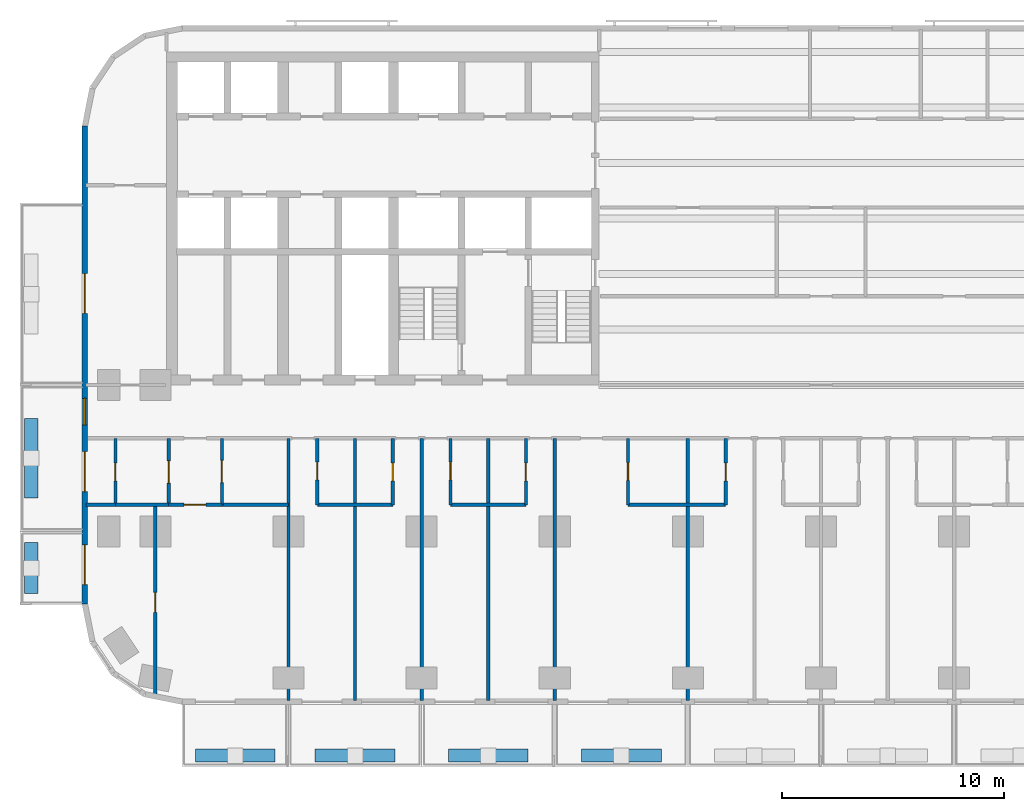
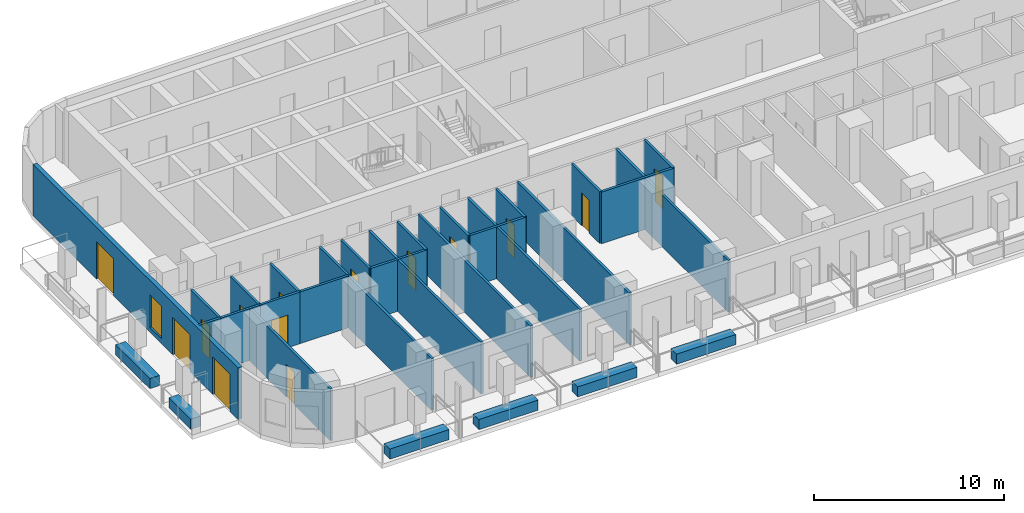
# One storey, part 2 of 15: 30 walls, 14 doors, 1 window, 15 openings.
"""IFC4 building model written with IfcOpenShell, lengths in metres."""

import ifcopenshell
import ifcopenshell.guid

model = None  # the IFC model being written
_history = None  # IfcOwnerHistory: only IFC2X3 demands one
_inside = {}  # id of a spatial element -> (the spatial element, [elements in it])
_under = {}  # id of a project, library or spatial element -> (it, [spatial elements below it])
_declared = {}  # id of a project -> (the project, [libraries it declares])
_typed = {}  # id of a type object -> (the type object, [elements of that type])
_made_of = {}  # id of a material, layer set ... -> (it, [elements and type objects made of it])


def new_model(schema):
    """Start an empty IFC model of exactly this schema.

    Asked for "IFC4X3", IfcOpenShell would pick the latest addendum, in which some entities
    have other attributes; the version numbers below select the first issue.
    IFC2X3 requires an IfcOwnerHistory on every rooted entity: one is made here for all.
    """
    global model, _history
    if schema == "IFC4X3":
        model = ifcopenshell.file(schema_version=(4, 3, 0, 0))
    else:
        model = ifcopenshell.file(schema=schema)
    _inside.clear()
    _under.clear()
    _declared.clear()
    _typed.clear()
    _made_of.clear()
    _history = None
    if model.schema == "IFC2X3":
        org = make("IfcOrganization", Name="unknown")
        user = make(
            "IfcPersonAndOrganization",
            ThePerson=make("IfcPerson", FamilyName="unknown"),
            TheOrganization=org,
        )
        app = make(
            "IfcApplication",
            ApplicationDeveloper=org,
            Version="unknown",
            ApplicationFullName="unknown",
            ApplicationIdentifier="unknown",
        )
        _history = make(
            "IfcOwnerHistory",
            OwningUser=user,
            OwningApplication=app,
            ChangeAction="ADDED",
            CreationDate=0,
        )
    return model


def make(cls, **values):
    """One entity of the class cls with the attributes given. An attribute that is None is left unset."""
    return model.create_entity(
        cls, **{name: value for name, value in values.items() if value is not None}
    )


def rooted(cls, **values):
    """An entity with a GlobalId (a new one), such as an element, a storey or a relation."""
    return make(cls, GlobalId=ifcopenshell.guid.new(), OwnerHistory=_history, **values)


def si_unit(unit_type, name, prefix=None):
    """IfcSIUnit, for example si_unit("LENGTHUNIT", "METRE", prefix="MILLI")."""
    return make("IfcSIUnit", UnitType=unit_type, Prefix=prefix, Name=name)


def assignment(units):
    """IfcUnitAssignment: the units of a project."""
    return None if units is None else make("IfcUnitAssignment", Units=units)


def point(xyz):
    """IfcCartesianPoint."""
    return None if xyz is None else make("IfcCartesianPoint", Coordinates=xyz)


def direction(xyz):
    """IfcDirection."""
    return None if xyz is None else make("IfcDirection", DirectionRatios=xyz)


def frame(location, z_axis=None, x_axis=None):
    """IfcAxis2Placement3D, a coordinate frame: its origin and axes. An axis left out is left unset."""
    return make(
        "IfcAxis2Placement3D",
        Location=point(location),
        Axis=direction(z_axis),
        RefDirection=direction(x_axis),
    )


def frame_2d(location, x_axis=None):
    """IfcAxis2Placement2D, a coordinate frame in the plane: its origin and x axis."""
    return make(
        "IfcAxis2Placement2D", Location=point(location), RefDirection=direction(x_axis)
    )


def origin():
    """The frame at (0, 0, 0) with its axes left unset."""
    return frame((0.0, 0.0, 0.0))


def place(relative_to, where):
    """IfcLocalPlacement: puts the frame where relative to a parent placement (None: the world)."""
    return make(
        "IfcLocalPlacement", PlacementRelTo=relative_to, RelativePlacement=where
    )


def context(
    kind, dimensions, precision=None, world=None, true_north=None, identifier=None
):
    """IfcGeometricRepresentationContext, for example the 3D "Model" context."""
    return make(
        "IfcGeometricRepresentationContext",
        ContextIdentifier=identifier,
        ContextType=kind,
        CoordinateSpaceDimension=dimensions,
        Precision=precision,
        WorldCoordinateSystem=world,
        TrueNorth=true_north,
    )


def subcontext(parent, identifier, kind, view, scale=None):
    """IfcGeometricRepresentationSubContext, for example "Body" below "Model"."""
    return make(
        "IfcGeometricRepresentationSubContext",
        ContextIdentifier=identifier,
        ContextType=kind,
        ParentContext=parent,
        TargetScale=scale,
        TargetView=view,
    )


def project(units=None, contexts=None):
    """IfcProject with its units and contexts."""
    return rooted(
        "IfcProject",
        Name="project",
        RepresentationContexts=contexts,
        UnitsInContext=assignment(units),
    )


def spatial(cls, under=None, at=None, **own):
    """A site, building, storey or space (cls), placed at a placement, below another one or the project."""
    s = rooted(cls, ObjectPlacement=at, **own)
    if under is not None:
        _under.setdefault(under.id(), (under, []))[1].append(s)
    return s


def profile(cls, at=None, kind="AREA", **sizes):
    """A parametric profile (cls). Its sizes go by their IFC names, for example OverallWidth=200.0."""
    return make(cls, ProfileType=kind, Position=at, **sizes)


def rectangle(**sizes):
    """IfcRectangleProfileDef."""
    return profile("IfcRectangleProfileDef", **sizes)


def extrude(swept, where, along, depth):
    """IfcExtrudedAreaSolid: the profile swept, set in the frame where, extruded along a direction by depth."""
    return make(
        "IfcExtrudedAreaSolid",
        SweptArea=swept,
        Position=where,
        ExtrudedDirection=direction(along),
        Depth=depth,
    )


def shape(context_of_items, identifier, shape_type, items):
    """IfcShapeRepresentation: the items that make up one representation, for example the "Body"."""
    return make(
        "IfcShapeRepresentation",
        ContextOfItems=context_of_items,
        RepresentationIdentifier=identifier,
        RepresentationType=shape_type,
        Items=items,
    )


def material(Name=None, Category=None):
    """IfcMaterial."""
    return make("IfcMaterial", Name=Name, Category=Category)


def layer(
    of_material, thickness, ventilated=None, Name=None, Category=None, Priority=None
):
    """IfcMaterialLayer: one layer of a wall or slab, of a material (None: an air gap)."""
    return make(
        "IfcMaterialLayer",
        Material=of_material,
        LayerThickness=thickness,
        IsVentilated=ventilated,
        Name=Name,
        Category=Category,
        Priority=Priority,
    )


def layer_set(layers, Name=None):
    """IfcMaterialLayerSet."""
    return make("IfcMaterialLayerSet", MaterialLayers=layers, LayerSetName=Name)


def made_of(thing, what):
    """Note that an element or type object is made of a material, layer set ...; save() writes the relation."""
    if what is not None:
        _made_of.setdefault(what.id(), (what, []))[1].append(thing)
    return thing


def type_object(cls, material=None, **own):
    """A type object (cls), such as IfcWallType, which elements share."""
    return made_of(rooted(cls, **own), material)


def element(
    cls,
    number,
    at=None,
    inside=None,
    cuts=None,
    type_object=None,
    material=None,
    context=None,
    identifier="Body",
    shape_type=None,
    held_by="IfcProductDefinitionShape",
    body=None,
    shapes=None,
    **own,
):
    """One element of the class cls, such as IfcWall. Its Tag is "e" and its number.

    at: its placement. inside: the storey or other place that contains it. cuts: it is an
    opening in that element (IfcRelVoidsElement). A single representation is given by context,
    identifier, shape_type and body (its items); several are given by shapes. held_by: the class
    of the entity that holds the representations. save() writes the other relations.
    """
    e = rooted(cls, Tag="e%d" % number, ObjectPlacement=at, **own)
    if body is not None:
        shapes = [shape(context, identifier, shape_type, body)]
    if shapes is not None:
        e.Representation = make(held_by, Representations=shapes)
    if inside is not None:
        _inside.setdefault(inside.id(), (inside, []))[1].append(e)
    if cuts is not None:
        rooted(
            "IfcRelVoidsElement", RelatingBuildingElement=cuts, RelatedOpeningElement=e
        )
    if type_object is not None:
        _typed.setdefault(type_object.id(), (type_object, []))[1].append(e)
    return made_of(e, material)


def fill(opening, filler):
    """IfcRelFillsElement: the door or window that sits in an opening."""
    return rooted(
        "IfcRelFillsElement",
        RelatingOpeningElement=opening,
        RelatedBuildingElement=filler,
    )


def aggregate(whole, parts):
    """IfcRelAggregates: a whole, such as a stair, and the parts it consists of."""
    return rooted("IfcRelAggregates", RelatingObject=whole, RelatedObjects=parts)


def save(model, path):
    """Write the relations noted so far, then the file.

    IfcRelAggregates (storeys below a building ...), IfcRelContainedInSpatialStructure (elements
    in a storey), IfcRelDefinesByType, IfcRelAssociatesMaterial and IfcRelDeclares: one each for
    every whole, place, type object, material and project.
    """
    for whole, parts in _under.values():
        aggregate(whole, parts)
    for where, things in _inside.values():
        rooted(
            "IfcRelContainedInSpatialStructure",
            RelatedElements=things,
            RelatingStructure=where,
        )
    for kind, things in _typed.values():
        rooted("IfcRelDefinesByType", RelatedObjects=things, RelatingType=kind)
    for what, things in _made_of.values():
        rooted("IfcRelAssociatesMaterial", RelatedObjects=things, RelatingMaterial=what)
    for by, libraries in _declared.values():
        rooted("IfcRelDeclares", RelatingContext=by, RelatedDefinitions=libraries)
    model.write(path)


model = new_model("IFC4")

# Units and contexts
model_context = context("Model", 3, precision=1e-05, world=origin(), true_north=direction((0.0, 1.0)))
body_context = subcontext(model_context, "Body", "Model", "MODEL_VIEW")
ifc_project = project(units=[si_unit("LENGTHUNIT", "METRE"), si_unit("AREAUNIT", "SQUARE_METRE"), si_unit("VOLUMEUNIT", "CUBIC_METRE"), si_unit("PLANEANGLEUNIT", "RADIAN"), si_unit("MASSUNIT", "GRAM", prefix="KILO")], contexts=[model_context])

# Site, building, storey
site_placement = place(None, origin())
site = spatial("IfcSite", under=ifc_project, at=site_placement, CompositionType="ELEMENT")
building_placement = place(site_placement, origin())
building = spatial("IfcBuilding", under=site, at=building_placement, Name="Torana Hotel and Residences", CompositionType="ELEMENT")
storey_placement = place(building_placement, frame((0.0, 0.0, 52.800048828125)))
storey = spatial("IfcBuildingStorey", under=building, at=storey_placement, Name="L12", CompositionType="ELEMENT", Elevation=52.800048828125)

# Wall, openings, doors, window
ifc_material_1 = material(Name="Black aluminium composite panel", Category="aluminium")
ifc_layer_1 = layer(ifc_material_1, 0.00390625, Name="Cladding", Category="cladding")
ifc_material_2 = material(Name="Ventilated air cavity")
ifc_layer_2 = layer(ifc_material_2, 0.0400390625, Name="Ventilated cavity", Category="cavity")
ifc_material_3 = material(Name="Mineral wool insulation")
ifc_layer_3 = layer(ifc_material_3, 0.090087890625, Name="Insulation", Category="insulation")
ifc_material_4 = material(Name="Steel S280GD", Category="steel")
ifc_layer_4 = layer(ifc_material_4, 0.092041015625, Name="Steel stud frame", Category="structure")
ifc_material_5 = material(Name="Fire rated plasterboard")
ifc_layer_5 = layer(ifc_material_5, 0.011962890625, Name="Inner board", Category="finish")
ifc_layer_6 = layer(ifc_material_5, 0.011962890625, Name="Second board", Category="finish")
ifc_layer_set_1 = layer_set([ifc_layer_1, ifc_layer_2, ifc_layer_3, ifc_layer_4, ifc_layer_5, ifc_layer_6], Name="EW1 EXTERNAL WALL BLACK METAL CLAD 250")
wall_type_1 = type_object("IfcWallType", Name="EW1 EXTERNAL WALL BLACK METAL CLAD 250", PredefinedType="SOLIDWALL", material=ifc_layer_set_1)
wall_1_placement = place(storey_placement, frame((-33.175048828125, -3.32470703125, 0.0), z_axis=(0.0, 0.0, 1.0), x_axis=(0.0, -1.0, 0.0)))
wall_1 = element("IfcWall", 1, at=wall_1_placement, inside=storey, type_object=wall_type_1, Name="External wall L12 e0.9", PredefinedType="SOLIDWALL", context=body_context, shape_type="SweptSolid", body=[
    extrude(rectangle(XDim=21.55078125, YDim=0.25, at=frame_2d((10.775390625, 0.0))), origin(), (0.0, 0.0, 1.0), 3.320068359375),
])
opening_1_placement = place(wall_1_placement, frame((6.650390625, 0.0, 0.0)))
opening_1 = element("IfcOpeningElement", 2, at=opening_1_placement, cuts=wall_1, Name="Opening L12-E14", PredefinedType="OPENING", context=body_context, shape_type="SweptSolid", body=[
    extrude(rectangle(XDim=1.800048828125, YDim=2.39990234375, at=frame_2d((0.89990234375, 1.199951171875))), frame((0.0, 0.135009765625, 0.0), z_axis=(0.0, -1.0, 0.0), x_axis=(1.0, 0.0, 0.0)), (0.0, 0.0, 1.0), 0.27001953125),
])
opening_2_placement = place(wall_1_placement, frame((12.275390625, 0.0, 0.300048828125)))
opening_2 = element("IfcOpeningElement", 3, at=opening_2_placement, cuts=wall_1, Name="Opening W7", PredefinedType="OPENING", context=body_context, shape_type="SweptSolid", body=[
    extrude(rectangle(XDim=1.199951171875, YDim=2.10009765625, at=frame_2d((0.60009765625, 1.050048828125))), frame((0.0, 0.135009765625, 0.0), z_axis=(0.0, -1.0, 0.0), x_axis=(1.0, 0.0, 0.0)), (0.0, 0.0, 1.0), 0.27001953125),
])
opening_3_placement = place(wall_1_placement, frame((14.67529296875, 0.0, 0.0)))
opening_3 = element("IfcOpeningElement", 4, at=opening_3_placement, cuts=wall_1, Name="Opening L12-E15", PredefinedType="OPENING", context=body_context, shape_type="SweptSolid", body=[
    extrude(rectangle(XDim=1.800048828125, YDim=2.39990234375, at=frame_2d((0.89990234375, 1.199951171875))), frame((0.0, 0.135009765625, 0.0), z_axis=(0.0, -1.0, 0.0), x_axis=(1.0, 0.0, 0.0)), (0.0, 0.0, 1.0), 0.27001953125),
])
opening_4_placement = place(wall_1_placement, frame((18.87548828125, 0.0, 0.0)))
opening_4 = element("IfcOpeningElement", 5, at=opening_4_placement, cuts=wall_1, Name="Opening L12-E16", PredefinedType="OPENING", context=body_context, shape_type="SweptSolid", body=[
    extrude(rectangle(XDim=1.800048828125, YDim=2.39990234375, at=frame_2d((0.89990234375, 1.199951171875))), frame((0.0, 0.135009765625, 0.0), z_axis=(0.0, -1.0, 0.0), x_axis=(1.0, 0.0, 0.0)), (0.0, 0.0, 1.0), 0.27001953125),
])
ifc_material_6 = material(Name="Dark glass in black aluminium frame", Category="aluminium")
door_type_1 = type_object("IfcDoorType", Name="DB1 BALCONY DOOR 1800x2400", OperationType="DOUBLE_DOOR_SINGLE_SWING", PredefinedType="DOOR", material=ifc_material_6)
door_1_placement = place(opening_1_placement, origin())
door_1 = element("IfcDoor", 6, at=door_1_placement, inside=storey, type_object=door_type_1, Name="Balcony door L12", OperationType="DOUBLE_DOOR_SINGLE_SWING", OverallHeight=2.39990234375, OverallWidth=1.800048828125, PredefinedType="DOOR", context=body_context, shape_type="SweptSolid", body=[
    extrude(rectangle(XDim=1.800048828125, YDim=2.39990234375, at=frame_2d((0.89990234375, 1.199951171875))), frame((0.0, 0.02490234375, 0.0), z_axis=(0.0, -1.0, 0.0), x_axis=(1.0, 0.0, 0.0)), (0.0, 0.0, 1.0), 0.050048828125),
])
fill(opening_1, door_1)
door_2_placement = place(opening_3_placement, origin())
door_2 = element("IfcDoor", 7, at=door_2_placement, inside=storey, type_object=door_type_1, Name="Balcony door L12", OperationType="DOUBLE_DOOR_SINGLE_SWING", OverallHeight=2.39990234375, OverallWidth=1.800048828125, PredefinedType="DOOR", context=body_context, shape_type="SweptSolid", body=[
    extrude(rectangle(XDim=1.800048828125, YDim=2.39990234375, at=frame_2d((0.89990234375, 1.199951171875))), frame((0.0, 0.02490234375, 0.0), z_axis=(0.0, -1.0, 0.0), x_axis=(1.0, 0.0, 0.0)), (0.0, 0.0, 1.0), 0.050048828125),
])
fill(opening_3, door_2)
door_3_placement = place(opening_4_placement, frame((0.89990234375, 0.0, 0.0), z_axis=(0.0, 0.0, 1.0), x_axis=(-1.0, 0.0, 0.0)))
door_3 = element("IfcDoor", 8, at=door_3_placement, inside=storey, type_object=door_type_1, Name="Balcony door L12", OperationType="DOUBLE_DOOR_SINGLE_SWING", OverallHeight=2.39990234375, OverallWidth=1.800048828125, PredefinedType="DOOR", context=body_context, shape_type="SweptSolid", body=[
    extrude(rectangle(XDim=1.800048828125, YDim=2.39990234375, at=frame_2d((0.0, 1.199951171875))), frame((0.0, -0.02490234375, 0.0), z_axis=(0.0, 1.0, 0.0), x_axis=(-1.0, 0.0, 0.0)), (0.0, 0.0, 1.0), 0.050048828125),
])
fill(opening_4, door_3)
ifc_material_7 = material(Name="Dark glass in black aluminium frame", Category="aluminium")
window_type = type_object("IfcWindowType", Name="W7 HOTEL CORRIDOR WINDOW 1200x2100", PartitioningType="SINGLE_PANEL", PredefinedType="WINDOW", material=ifc_material_7)
window_placement = place(opening_2_placement, origin())
window = element("IfcWindow", 9, at=window_placement, inside=storey, type_object=window_type, Name="Window L12", OverallHeight=2.10009765625, OverallWidth=1.199951171875, PartitioningType="SINGLE_PANEL", PredefinedType="WINDOW", context=body_context, shape_type="SweptSolid", body=[
    extrude(rectangle(XDim=1.199951171875, YDim=2.10009765625, at=frame_2d((0.60009765625, 1.050048828125))), frame((0.0, 0.030029296875, 0.0), z_axis=(0.0, -1.0, 0.0), x_axis=(1.0, 0.0, 0.0)), (0.0, 0.0, 1.0), 0.06005859375),
])
fill(opening_2, window)

# Wall, opening, door
ifc_material_8 = material(Name="Gypsum plaster")
ifc_layer_7 = layer(ifc_material_8, 0.014892578125, Name="Plaster", Category="finish")
ifc_material_9 = material(Name="Concrete blockwork", Category="masonry")
ifc_layer_8 = layer(ifc_material_9, 0.1201171875, Name="Blockwork", Category="structure")
ifc_layer_9 = layer(ifc_material_8, 0.014892578125, Name="Plaster", Category="finish")
ifc_layer_set_2 = layer_set([ifc_layer_7, ifc_layer_8, ifc_layer_9], Name="FIRE PARTITION 150 BLOCKWORK")
wall_type_2 = type_object("IfcWallType", Name="FIRE PARTITION 150 BLOCKWORK", PredefinedType="PARTITIONING", material=ifc_layer_set_2)
wall_2_placement = place(storey_placement, frame((-27.0, -20.39990234375, 0.0), z_axis=(0.0, 0.0, 1.0), x_axis=(0.0, 1.0, 0.0)))
wall_2 = element("IfcWall", 10, at=wall_2_placement, inside=storey, type_object=wall_type_2, Name="Partition L12", PredefinedType="PARTITIONING", context=body_context, shape_type="SweptSolid", body=[
    extrude(rectangle(XDim=3.0, YDim=0.14990234375, at=frame_2d((1.5, 0.0))), origin(), (0.0, 0.0, 1.0), 3.320068359375),
])
opening_5_placement = place(wall_2_placement, frame((1.0, 0.0, 0.0)))
opening_5 = element("IfcOpeningElement", 11, at=opening_5_placement, cuts=wall_2, Name="Opening L12-73", PredefinedType="OPENING", context=body_context, shape_type="SweptSolid", body=[
    extrude(rectangle(XDim=1.0, YDim=2.10009765625, at=frame_2d((0.5, 1.050048828125))), frame((0.0, 0.0849609375, 0.0), z_axis=(0.0, -1.0, 0.0), x_axis=(1.0, 0.0, 0.0)), (0.0, 0.0, 1.0), 0.169921875),
])
ifc_material_10 = material(Name="Steel S235", Category="steel")
door_type_2 = type_object("IfcDoorType", Name="ENTRY FIRE DOOR D6 1000x2100", OperationType="SINGLE_SWING_LEFT", PredefinedType="DOOR", material=ifc_material_10)
door_4_placement = place(opening_5_placement, frame((0.5, 0.0, 0.0), z_axis=(0.0, 0.0, 1.0), x_axis=(-1.0, 0.0, 0.0)))
door_4 = element("IfcDoor", 12, at=door_4_placement, inside=storey, type_object=door_type_2, Name="Door L12", OperationType="SINGLE_SWING_LEFT", OverallHeight=2.10009765625, OverallWidth=1.0, PredefinedType="DOOR", context=body_context, shape_type="SweptSolid", body=[
    extrude(rectangle(XDim=1.0, YDim=2.10009765625, at=frame_2d((0.0, 1.050048828125))), frame((0.0, -0.02490234375, 0.0), z_axis=(0.0, 1.0, 0.0), x_axis=(-1.0, 0.0, 0.0)), (0.0, 0.0, 1.0), 0.050048828125),
])
fill(opening_5, door_4)

wall_3_placement = place(storey_placement, frame((-29.39990234375, -20.39990234375, 0.0), z_axis=(0.0, 0.0, 1.0), x_axis=(0.0, 1.0, 0.0)))
wall_3 = element("IfcWall", 13, at=wall_3_placement, inside=storey, type_object=wall_type_2, Name="Partition L12", PredefinedType="PARTITIONING", context=body_context, shape_type="SweptSolid", body=[
    extrude(rectangle(XDim=3.0, YDim=0.14990234375, at=frame_2d((1.5, 0.0))), origin(), (0.0, 0.0, 1.0), 3.320068359375),
])
opening_6_placement = place(wall_3_placement, frame((0.97998046875, 0.0, 0.0)))
opening_6 = element("IfcOpeningElement", 14, at=opening_6_placement, cuts=wall_3, Name="Opening L12-74", PredefinedType="OPENING", context=body_context, shape_type="SweptSolid", body=[
    extrude(rectangle(XDim=1.0, YDim=2.10009765625, at=frame_2d((0.5, 1.050048828125))), frame((0.0, 0.0849609375, 0.0), z_axis=(0.0, -1.0, 0.0), x_axis=(1.0, 0.0, 0.0)), (0.0, 0.0, 1.0), 0.169921875),
])
door_5_placement = place(opening_6_placement, origin())
door_5 = element("IfcDoor", 15, at=door_5_placement, inside=storey, type_object=door_type_2, Name="Door L12", OperationType="SINGLE_SWING_RIGHT", OverallHeight=2.10009765625, OverallWidth=1.0, PredefinedType="DOOR", context=body_context, shape_type="SweptSolid", body=[
    extrude(rectangle(XDim=1.0, YDim=2.10009765625, at=frame_2d((0.5, 1.050048828125))), frame((0.0, 0.02490234375, 0.0), z_axis=(0.0, -1.0, 0.0), x_axis=(1.0, 0.0, 0.0)), (0.0, 0.0, 1.0), 0.050048828125),
])
fill(opening_6, door_5)

wall_4_placement = place(storey_placement, frame((-29.39990234375, -20.39990234375, 0.0), z_axis=(0.0, 0.0, 1.0), x_axis=(1.0, 0.0, 0.0)))
wall_4 = element("IfcWall", 16, at=wall_4_placement, inside=storey, type_object=wall_type_2, Name="Partition L12", PredefinedType="PARTITIONING", context=body_context, shape_type="SweptSolid", body=[
    extrude(rectangle(XDim=2.39990234375, YDim=0.14990234375, at=frame_2d((1.199951171875, 0.0))), origin(), (0.0, 0.0, 1.0), 3.320068359375),
])
opening_7_placement = place(wall_4_placement, frame((0.679931640625, 0.0, 0.0)))
opening_7 = element("IfcOpeningElement", 17, at=opening_7_placement, cuts=wall_4, Name="Opening L12-75", PredefinedType="OPENING", context=body_context, shape_type="SweptSolid", body=[
    extrude(rectangle(XDim=1.0, YDim=2.10009765625, at=frame_2d((0.5, 1.050048828125))), frame((0.0, 0.0849609375, 0.0), z_axis=(0.0, -1.0, 0.0), x_axis=(1.0, 0.0, 0.0)), (0.0, 0.0, 1.0), 0.169921875),
])
door_6_placement = place(opening_7_placement, frame((0.5, 0.0, 0.0), z_axis=(0.0, 0.0, 1.0), x_axis=(-1.0, 0.0, 0.0)))
door_6 = element("IfcDoor", 18, at=door_6_placement, inside=storey, type_object=door_type_2, Name="Door L12", OperationType="SINGLE_SWING_LEFT", OverallHeight=2.10009765625, OverallWidth=1.0, PredefinedType="DOOR", context=body_context, shape_type="SweptSolid", body=[
    extrude(rectangle(XDim=1.0, YDim=2.10009765625, at=frame_2d((0.0, 1.050048828125))), frame((0.0, -0.02490234375, 0.0), z_axis=(0.0, 1.0, 0.0), x_axis=(-1.0, 0.0, 0.0)), (0.0, 0.0, 1.0), 0.050048828125),
])
fill(opening_7, door_6)

ifc_material_11 = material(Name="Gypsum plasterboard")
ifc_layer_10 = layer(ifc_material_11, 0.012451171875, Name="Plasterboard", Category="finish")
ifc_layer_11 = layer(ifc_material_11, 0.012451171875, Name="Plasterboard", Category="finish")
ifc_layer_12 = layer(ifc_material_4, 0.10009765625, Name="Steel studs with mineral wool", Category="insulation")
ifc_layer_13 = layer(ifc_material_11, 0.012451171875, Name="Plasterboard", Category="finish")
ifc_layer_14 = layer(ifc_material_11, 0.012451171875, Name="Plasterboard", Category="finish")
ifc_layer_set_3 = layer_set([ifc_layer_10, ifc_layer_11, ifc_layer_12, ifc_layer_13, ifc_layer_14], Name="PARTITION 150 PLASTERBOARD")
wall_type_3 = type_object("IfcWallType", Name="PARTITION 150 PLASTERBOARD", PredefinedType="PARTITIONING", material=ifc_layer_set_3)
wall_5_placement = place(storey_placement, frame((-4.300048828125, -20.39990234375, 0.0), z_axis=(0.0, 0.0, 1.0), x_axis=(0.0, 1.0, 0.0)))
wall_5 = element("IfcWall", 19, at=wall_5_placement, inside=storey, type_object=wall_type_3, Name="Partition L12", PredefinedType="PARTITIONING", context=body_context, shape_type="SweptSolid", body=[
    extrude(rectangle(XDim=3.0, YDim=0.14990234375, at=frame_2d((1.5, 0.0))), origin(), (0.0, 0.0, 1.0), 3.320068359375),
])
opening_8_placement = place(wall_5_placement, frame((1.080078125, 0.0, 0.0)))
opening_8 = element("IfcOpeningElement", 20, at=opening_8_placement, cuts=wall_5, Name="Opening L12-62", PredefinedType="OPENING", context=body_context, shape_type="SweptSolid", body=[
    extrude(rectangle(XDim=0.800048828125, YDim=2.10009765625, at=frame_2d((0.39990234375, 1.050048828125))), frame((0.0, 0.0849609375, 0.0), z_axis=(0.0, -1.0, 0.0), x_axis=(1.0, 0.0, 0.0)), (0.0, 0.0, 1.0), 0.169921875),
])
ifc_material_12 = material(Name="Timber door, painted", Category="wood")
door_type_3 = type_object("IfcDoorType", Name="BATH DOOR D13 800x2100", OperationType="SINGLE_SWING_LEFT", PredefinedType="DOOR", material=ifc_material_12)
door_7_placement = place(opening_8_placement, origin())
door_7 = element("IfcDoor", 21, at=door_7_placement, inside=storey, type_object=door_type_3, Name="Door L12", OperationType="SINGLE_SWING_RIGHT", OverallHeight=2.10009765625, OverallWidth=0.800048828125, PredefinedType="DOOR", context=body_context, shape_type="SweptSolid", body=[
    extrude(rectangle(XDim=0.800048828125, YDim=2.10009765625, at=frame_2d((0.39990234375, 1.050048828125))), frame((0.0, 0.02490234375, 0.0), z_axis=(0.0, -1.0, 0.0), x_axis=(1.0, 0.0, 0.0)), (0.0, 0.0, 1.0), 0.050048828125),
])
fill(opening_8, door_7)

# Wall
wall_6_placement = place(storey_placement, frame((-6.0, -29.219970703125, 0.0), z_axis=(0.0, 0.0, 1.0), x_axis=(0.0, 1.0, 0.0)))
element("IfcWall", 22, at=wall_6_placement, inside=storey, type_object=wall_type_3, Name="Partition L12", PredefinedType="PARTITIONING", context=body_context, shape_type="SweptSolid", body=[
    extrude(rectangle(XDim=11.820068359375, YDim=0.14990234375, at=frame_2d((5.91015625, 0.0))), origin(), (0.0, 0.0, 1.0), 3.320068359375),
])

# Wall, opening, door
wall_7_placement = place(storey_placement, frame((-8.699951171875, -20.39990234375, 0.0), z_axis=(0.0, 0.0, 1.0), x_axis=(0.0, 1.0, 0.0)))
wall_7 = element("IfcWall", 23, at=wall_7_placement, inside=storey, type_object=wall_type_3, Name="Partition L12", PredefinedType="PARTITIONING", context=body_context, shape_type="SweptSolid", body=[
    extrude(rectangle(XDim=3.0, YDim=0.14990234375, at=frame_2d((1.5, 0.0))), origin(), (0.0, 0.0, 1.0), 3.320068359375),
])
opening_9_placement = place(wall_7_placement, frame((1.10009765625, 0.0, 0.0)))
opening_9 = element("IfcOpeningElement", 24, at=opening_9_placement, cuts=wall_7, Name="Opening L12-61", PredefinedType="OPENING", context=body_context, shape_type="SweptSolid", body=[
    extrude(rectangle(XDim=0.800048828125, YDim=2.10009765625, at=frame_2d((0.39990234375, 1.050048828125))), frame((0.0, 0.0849609375, 0.0), z_axis=(0.0, -1.0, 0.0), x_axis=(1.0, 0.0, 0.0)), (0.0, 0.0, 1.0), 0.169921875),
])
door_8_placement = place(opening_9_placement, origin())
door_8 = element("IfcDoor", 25, at=door_8_placement, inside=storey, type_object=door_type_3, Name="Door L12", OperationType="SINGLE_SWING_LEFT", OverallHeight=2.10009765625, OverallWidth=0.800048828125, PredefinedType="DOOR", context=body_context, shape_type="SweptSolid", body=[
    extrude(rectangle(XDim=0.800048828125, YDim=2.10009765625, at=frame_2d((0.39990234375, 1.050048828125))), frame((0.0, 0.02490234375, 0.0), z_axis=(0.0, -1.0, 0.0), x_axis=(1.0, 0.0, 0.0)), (0.0, 0.0, 1.0), 0.050048828125),
])
fill(opening_9, door_8)

# Wall
wall_8_placement = place(storey_placement, frame((-12.0, -29.219970703125, 0.0), z_axis=(0.0, 0.0, 1.0), x_axis=(0.0, 1.0, 0.0)))
element("IfcWall", 26, at=wall_8_placement, inside=storey, type_object=wall_type_3, Name="Partition L12", PredefinedType="PARTITIONING", context=body_context, shape_type="SweptSolid", body=[
    extrude(rectangle(XDim=11.820068359375, YDim=0.14990234375, at=frame_2d((5.91015625, 0.0))), origin(), (0.0, 0.0, 1.0), 3.320068359375),
])

# Wall, opening, door
wall_9_placement = place(storey_placement, frame((-13.300048828125, -20.39990234375, 0.0), z_axis=(0.0, 0.0, 1.0), x_axis=(0.0, 1.0, 0.0)))
wall_9 = element("IfcWall", 27, at=wall_9_placement, inside=storey, type_object=wall_type_3, Name="Partition L12", PredefinedType="PARTITIONING", context=body_context, shape_type="SweptSolid", body=[
    extrude(rectangle(XDim=3.0, YDim=0.14990234375, at=frame_2d((1.5, 0.0))), origin(), (0.0, 0.0, 1.0), 3.320068359375),
])
opening_10_placement = place(wall_9_placement, frame((1.080078125, 0.0, 0.0)))
opening_10 = element("IfcOpeningElement", 28, at=opening_10_placement, cuts=wall_9, Name="Opening L12-60", PredefinedType="OPENING", context=body_context, shape_type="SweptSolid", body=[
    extrude(rectangle(XDim=0.800048828125, YDim=2.10009765625, at=frame_2d((0.39990234375, 1.050048828125))), frame((0.0, 0.0849609375, 0.0), z_axis=(0.0, -1.0, 0.0), x_axis=(1.0, 0.0, 0.0)), (0.0, 0.0, 1.0), 0.169921875),
])
door_9_placement = place(opening_10_placement, origin())
door_9 = element("IfcDoor", 29, at=door_9_placement, inside=storey, type_object=door_type_3, Name="Door L12", OperationType="SINGLE_SWING_RIGHT", OverallHeight=2.10009765625, OverallWidth=0.800048828125, PredefinedType="DOOR", context=body_context, shape_type="SweptSolid", body=[
    extrude(rectangle(XDim=0.800048828125, YDim=2.10009765625, at=frame_2d((0.39990234375, 1.050048828125))), frame((0.0, 0.02490234375, 0.0), z_axis=(0.0, -1.0, 0.0), x_axis=(1.0, 0.0, 0.0)), (0.0, 0.0, 1.0), 0.050048828125),
])
fill(opening_10, door_9)

# Wall
wall_10_placement = place(storey_placement, frame((-15.0, -29.219970703125, 0.0), z_axis=(0.0, 0.0, 1.0), x_axis=(0.0, 1.0, 0.0)))
element("IfcWall", 30, at=wall_10_placement, inside=storey, type_object=wall_type_3, Name="Partition L12", PredefinedType="PARTITIONING", context=body_context, shape_type="SweptSolid", body=[
    extrude(rectangle(XDim=11.820068359375, YDim=0.14990234375, at=frame_2d((5.91015625, 0.0))), origin(), (0.0, 0.0, 1.0), 3.320068359375),
])

# Wall, opening, door
wall_11_placement = place(storey_placement, frame((-16.699951171875, -20.39990234375, 0.0), z_axis=(0.0, 0.0, 1.0), x_axis=(0.0, 1.0, 0.0)))
wall_11 = element("IfcWall", 31, at=wall_11_placement, inside=storey, type_object=wall_type_3, Name="Partition L12", PredefinedType="PARTITIONING", context=body_context, shape_type="SweptSolid", body=[
    extrude(rectangle(XDim=3.0, YDim=0.14990234375, at=frame_2d((1.5, 0.0))), origin(), (0.0, 0.0, 1.0), 3.320068359375),
])
opening_11_placement = place(wall_11_placement, frame((1.1201171875, 0.0, 0.0)))
opening_11 = element("IfcOpeningElement", 32, at=opening_11_placement, cuts=wall_11, Name="Opening L12-59", PredefinedType="OPENING", context=body_context, shape_type="SweptSolid", body=[
    extrude(rectangle(XDim=0.800048828125, YDim=2.10009765625, at=frame_2d((0.39990234375, 1.050048828125))), frame((0.0, 0.0849609375, 0.0), z_axis=(0.0, -1.0, 0.0), x_axis=(1.0, 0.0, 0.0)), (0.0, 0.0, 1.0), 0.169921875),
])
door_10_placement = place(opening_11_placement, origin())
door_10 = element("IfcDoor", 33, at=door_10_placement, inside=storey, type_object=door_type_3, Name="Door L12", OperationType="SINGLE_SWING_LEFT", OverallHeight=2.10009765625, OverallWidth=0.800048828125, PredefinedType="DOOR", context=body_context, shape_type="SweptSolid", body=[
    extrude(rectangle(XDim=0.800048828125, YDim=2.10009765625, at=frame_2d((0.39990234375, 1.050048828125))), frame((0.0, 0.02490234375, 0.0), z_axis=(0.0, -1.0, 0.0), x_axis=(1.0, 0.0, 0.0)), (0.0, 0.0, 1.0), 0.050048828125),
])
fill(opening_11, door_10)

# Wall
wall_12_placement = place(storey_placement, frame((-18.0, -29.219970703125, 0.0), z_axis=(0.0, 0.0, 1.0), x_axis=(0.0, 1.0, 0.0)))
element("IfcWall", 34, at=wall_12_placement, inside=storey, type_object=wall_type_3, Name="Partition L12", PredefinedType="PARTITIONING", context=body_context, shape_type="SweptSolid", body=[
    extrude(rectangle(XDim=11.820068359375, YDim=0.14990234375, at=frame_2d((5.91015625, 0.0))), origin(), (0.0, 0.0, 1.0), 3.320068359375),
])

# Wall, opening, door
wall_13_placement = place(storey_placement, frame((-19.300048828125, -20.39990234375, 0.0), z_axis=(0.0, 0.0, 1.0), x_axis=(0.0, 1.0, 0.0)))
wall_13 = element("IfcWall", 35, at=wall_13_placement, inside=storey, type_object=wall_type_3, Name="Partition L12", PredefinedType="PARTITIONING", context=body_context, shape_type="SweptSolid", body=[
    extrude(rectangle(XDim=3.0, YDim=0.14990234375, at=frame_2d((1.5, 0.0))), origin(), (0.0, 0.0, 1.0), 3.320068359375),
])
opening_12_placement = place(wall_13_placement, frame((1.080078125, 0.0, 0.0)))
opening_12 = element("IfcOpeningElement", 36, at=opening_12_placement, cuts=wall_13, Name="Opening L12-58", PredefinedType="OPENING", context=body_context, shape_type="SweptSolid", body=[
    extrude(rectangle(XDim=0.800048828125, YDim=2.10009765625, at=frame_2d((0.39990234375, 1.050048828125))), frame((0.0, 0.0849609375, 0.0), z_axis=(0.0, -1.0, 0.0), x_axis=(1.0, 0.0, 0.0)), (0.0, 0.0, 1.0), 0.169921875),
])
door_11_placement = place(opening_12_placement, origin())
door_11 = element("IfcDoor", 37, at=door_11_placement, inside=storey, type_object=door_type_3, Name="Door L12", OperationType="SINGLE_SWING_RIGHT", OverallHeight=2.10009765625, OverallWidth=0.800048828125, PredefinedType="DOOR", context=body_context, shape_type="SweptSolid", body=[
    extrude(rectangle(XDim=0.800048828125, YDim=2.10009765625, at=frame_2d((0.39990234375, 1.050048828125))), frame((0.0, 0.02490234375, 0.0), z_axis=(0.0, -1.0, 0.0), x_axis=(1.0, 0.0, 0.0)), (0.0, 0.0, 1.0), 0.050048828125),
])
fill(opening_12, door_11)

# Wall
wall_14_placement = place(storey_placement, frame((-21.0, -29.219970703125, 0.0), z_axis=(0.0, 0.0, 1.0), x_axis=(0.0, 1.0, 0.0)))
element("IfcWall", 38, at=wall_14_placement, inside=storey, type_object=wall_type_3, Name="Partition L12", PredefinedType="PARTITIONING", context=body_context, shape_type="SweptSolid", body=[
    extrude(rectangle(XDim=11.820068359375, YDim=0.14990234375, at=frame_2d((5.91015625, 0.0))), origin(), (0.0, 0.0, 1.0), 3.320068359375),
])

# Wall, opening, door
wall_15_placement = place(storey_placement, frame((-22.699951171875, -20.39990234375, 0.0), z_axis=(0.0, 0.0, 1.0), x_axis=(0.0, 1.0, 0.0)))
wall_15 = element("IfcWall", 39, at=wall_15_placement, inside=storey, type_object=wall_type_3, Name="Partition L12", PredefinedType="PARTITIONING", context=body_context, shape_type="SweptSolid", body=[
    extrude(rectangle(XDim=3.0, YDim=0.14990234375, at=frame_2d((1.5, 0.0))), origin(), (0.0, 0.0, 1.0), 3.320068359375),
])
opening_13_placement = place(wall_15_placement, frame((1.1201171875, 0.0, 0.0)))
opening_13 = element("IfcOpeningElement", 40, at=opening_13_placement, cuts=wall_15, Name="Opening L12-57", PredefinedType="OPENING", context=body_context, shape_type="SweptSolid", body=[
    extrude(rectangle(XDim=0.800048828125, YDim=2.10009765625, at=frame_2d((0.39990234375, 1.050048828125))), frame((0.0, 0.0849609375, 0.0), z_axis=(0.0, -1.0, 0.0), x_axis=(1.0, 0.0, 0.0)), (0.0, 0.0, 1.0), 0.169921875),
])
door_12_placement = place(opening_13_placement, origin())
door_12 = element("IfcDoor", 41, at=door_12_placement, inside=storey, type_object=door_type_3, Name="Door L12", OperationType="SINGLE_SWING_LEFT", OverallHeight=2.10009765625, OverallWidth=0.800048828125, PredefinedType="DOOR", context=body_context, shape_type="SweptSolid", body=[
    extrude(rectangle(XDim=0.800048828125, YDim=2.10009765625, at=frame_2d((0.39990234375, 1.050048828125))), frame((0.0, 0.02490234375, 0.0), z_axis=(0.0, -1.0, 0.0), x_axis=(1.0, 0.0, 0.0)), (0.0, 0.0, 1.0), 0.050048828125),
])
fill(opening_13, door_12)

# Wall
wall_16_placement = place(storey_placement, frame((-24.0, -29.219970703125, 0.0), z_axis=(0.0, 0.0, 1.0), x_axis=(0.0, 1.0, 0.0)))
element("IfcWall", 42, at=wall_16_placement, inside=storey, type_object=wall_type_3, Name="Partition L12", PredefinedType="PARTITIONING", context=body_context, shape_type="SweptSolid", body=[
    extrude(rectangle(XDim=11.820068359375, YDim=0.14990234375, at=frame_2d((5.91015625, 0.0))), origin(), (0.0, 0.0, 1.0), 3.320068359375),
])

# Wall, opening, door
wall_17_placement = place(storey_placement, frame((-30.0, -28.977783203125, 0.0), z_axis=(0.0, 0.0, 1.0), x_axis=(0.0, 1.0, 0.0)))
wall_17 = element("IfcWall", 43, at=wall_17_placement, inside=storey, type_object=wall_type_3, Name="Partition L12", PredefinedType="PARTITIONING", context=body_context, shape_type="SweptSolid", body=[
    extrude(rectangle(XDim=8.577880859375, YDim=0.14990234375, at=frame_2d((4.2890625, 0.0))), origin(), (0.0, 0.0, 1.0), 3.320068359375),
])
opening_14_placement = place(wall_17_placement, frame((3.73681640625, 0.0, 0.0)))
opening_14 = element("IfcOpeningElement", 44, at=opening_14_placement, cuts=wall_17, Name="Opening L12-77", PredefinedType="OPENING", context=body_context, shape_type="SweptSolid", body=[
    extrude(rectangle(XDim=0.89990234375, YDim=2.10009765625, at=frame_2d((0.449951171875, 1.050048828125))), frame((0.0, 0.0849609375, 0.0), z_axis=(0.0, -1.0, 0.0), x_axis=(1.0, 0.0, 0.0)), (0.0, 0.0, 1.0), 0.169921875),
])
ifc_material_13 = material(Name="Timber door, oiled ash", Category="wood")
door_type_4 = type_object("IfcDoorType", Name="ROOM DOOR D7 900x2100", OperationType="SINGLE_SWING_LEFT", PredefinedType="DOOR", material=ifc_material_13)
door_13_placement = place(opening_14_placement, origin())
door_13 = element("IfcDoor", 45, at=door_13_placement, inside=storey, type_object=door_type_4, Name="Door L12", OperationType="SINGLE_SWING_RIGHT", OverallHeight=2.10009765625, OverallWidth=0.89990234375, PredefinedType="DOOR", context=body_context, shape_type="SweptSolid", body=[
    extrude(rectangle(XDim=0.89990234375, YDim=2.10009765625, at=frame_2d((0.449951171875, 1.050048828125))), frame((0.0, 0.02490234375, 0.0), z_axis=(0.0, -1.0, 0.0), x_axis=(1.0, 0.0, 0.0)), (0.0, 0.0, 1.0), 0.050048828125),
])
fill(opening_14, door_13)

# Walls
wall_18_placement = place(storey_placement, frame((-31.800048828125, -20.39990234375, 0.0), z_axis=(0.0, 0.0, 1.0), x_axis=(1.0, 0.0, 0.0)))
element("IfcWall", 46, at=wall_18_placement, inside=storey, type_object=wall_type_3, Name="Partition L12", PredefinedType="PARTITIONING", context=body_context, shape_type="SweptSolid", body=[
    extrude(rectangle(XDim=2.400146484375, YDim=0.14990234375, at=frame_2d((1.2001953125, 0.0))), origin(), (0.0, 0.0, 1.0), 3.320068359375),
])
wall_19_placement = place(storey_placement, frame((-27.0, -20.39990234375, 0.0), z_axis=(0.0, 0.0, 1.0), x_axis=(1.0, 0.0, 0.0)))
element("IfcWall", 47, at=wall_19_placement, inside=storey, type_object=wall_type_3, Name="Partition L12", PredefinedType="PARTITIONING", context=body_context, shape_type="SweptSolid", body=[
    extrude(rectangle(XDim=3.0, YDim=0.14990234375, at=frame_2d((1.5, 0.0))), origin(), (0.0, 0.0, 1.0), 3.320068359375),
])
for number, where, z_axis, x_axis, name in (
    (48, (-22.699951171875, -20.39990234375, 0.0), (0.0, 0.0, 1.0), (1.0, 0.0, 0.0), "Partition L12"),
    (49, (-16.699951171875, -20.39990234375, 0.0), (0.0, 0.0, 1.0), (1.0, 0.0, 0.0), "Partition L12"),
):
    element("IfcWall", number, at=place(storey_placement, frame(where, z_axis=z_axis, x_axis=x_axis)), inside=storey, type_object=wall_type_3, Name=name, PredefinedType="PARTITIONING", context=body_context, shape_type="SweptSolid", body=[
        extrude(rectangle(XDim=3.39990234375, YDim=0.14990234375, at=frame_2d((1.699951171875, 0.0))), origin(), (0.0, 0.0, 1.0), 3.320068359375),
    ])
wall_20_placement = place(storey_placement, frame((-8.699951171875, -20.39990234375, 0.0), z_axis=(0.0, 0.0, 1.0), x_axis=(1.0, 0.0, 0.0)))
element("IfcWall", 50, at=wall_20_placement, inside=storey, type_object=wall_type_3, Name="Partition L12", PredefinedType="PARTITIONING", context=body_context, shape_type="SweptSolid", body=[
    extrude(rectangle(XDim=4.39990234375, YDim=0.14990234375, at=frame_2d((2.199951171875, 0.0))), origin(), (0.0, 0.0, 1.0), 3.320068359375),
])
ifc_material_14 = material(Name="Concrete C40/50 precast", Category="concrete")
ifc_layer_15 = layer(ifc_material_14, 0.10009765625, Name="Planter shell", Category="structure")
ifc_material_15 = material(Name="Root resistant membrane")
ifc_layer_16 = layer(ifc_material_15, 0.00390625, Name="Waterproofing membrane", Category="membrane")
ifc_material_16 = material(Name="Drainage board with filter fleece")
ifc_layer_17 = layer(ifc_material_16, 0.02001953125, Name="Drainage board", Category="drainage")
ifc_material_17 = material(Name="Growing medium")
ifc_layer_18 = layer(ifc_material_17, 0.47607421875, Name="Planting substrate", Category="soil")
ifc_layer_set_4 = layer_set([ifc_layer_15, ifc_layer_16, ifc_layer_17, ifc_layer_18], Name="PL1 BALCONY PLANTER 600")
wall_type_4 = type_object("IfcWallType", Name="PL1 BALCONY PLANTER 600", PredefinedType="USERDEFINED", material=ifc_layer_set_4)
wall_21_placement = place(storey_placement, frame((-24.60009765625, -31.699951171875, 0.0), z_axis=(0.0, 0.0, 1.0), x_axis=(-1.0, 0.0, 0.0)))
element("IfcWall", 51, at=wall_21_placement, inside=storey, type_object=wall_type_4, Name="Planter 01", ObjectType="PLANTER", PredefinedType="USERDEFINED", context=body_context, shape_type="SweptSolid", body=[
    extrude(rectangle(XDim=3.599853515625, YDim=0.60009765625, at=frame_2d((1.7998046875, 0.0))), origin(), (0.0, 0.0, 1.0), 0.64990234375),
])
for number, where, z_axis, x_axis, name in (
    (52, (-19.199951171875, -31.699951171875, 0.0), (0.0, 0.0, 1.0), (-1.0, 0.0, 0.0), "Planter 02"),
    (53, (-13.199951171875, -31.699951171875, 0.0), (0.0, 0.0, 1.0), (-1.0, 0.0, 0.0), "Planter 03"),
    (54, (-7.199951171875, -31.699951171875, 0.0), (0.0, 0.0, 1.0), (-1.0, 0.0, 0.0), "Planter 04"),
):
    element("IfcWall", number, at=place(storey_placement, frame(where, z_axis=z_axis, x_axis=x_axis)), inside=storey, type_object=wall_type_4, Name=name, ObjectType="PLANTER", PredefinedType="USERDEFINED", context=body_context, shape_type="SweptSolid", body=[
        extrude(rectangle(XDim=3.60009765625, YDim=0.60009765625, at=frame_2d((1.800048828125, 0.0))), origin(), (0.0, 0.0, 1.0), 0.64990234375),
    ])
wall_22_placement = place(storey_placement, frame((-35.60009765625, -24.39990234375, 0.0), z_axis=(0.0, 0.0, 1.0), x_axis=(0.0, 1.0, 0.0)))
element("IfcWall", 55, at=wall_22_placement, inside=storey, type_object=wall_type_4, Name="Planter 11", ObjectType="PLANTER", PredefinedType="USERDEFINED", context=body_context, shape_type="SweptSolid", body=[
    extrude(rectangle(XDim=2.2998046875, YDim=0.60009765625, at=frame_2d((1.14990234375, 0.0))), origin(), (0.0, 0.0, 1.0), 0.64990234375),
])
wall_23_placement = place(storey_placement, frame((-35.60009765625, -20.10009765625, 0.0), z_axis=(0.0, 0.0, 1.0), x_axis=(0.0, 1.0, 0.0)))
element("IfcWall", 56, at=wall_23_placement, inside=storey, type_object=wall_type_4, Name="Planter 12", ObjectType="PLANTER", PredefinedType="USERDEFINED", context=body_context, shape_type="SweptSolid", body=[
    extrude(rectangle(XDim=3.60009765625, YDim=0.60009765625, at=frame_2d((1.800048828125, 0.0))), origin(), (0.0, 0.0, 1.0), 0.64990234375),
])

# Wall, opening, door
ifc_material_18 = material(Name="Ceramic tile on adhesive")
ifc_layer_19 = layer(ifc_material_18, 0.010009765625, Name="Wall tile", Category="finish")
ifc_material_19 = material(Name="Cement render")
ifc_layer_20 = layer(ifc_material_19, 0.010009765625, Name="Render", Category="finish")
ifc_layer_21 = layer(ifc_material_9, 0.110107421875, Name="Blockwork", Category="structure")
ifc_layer_22 = layer(ifc_material_19, 0.010009765625, Name="Render", Category="finish")
ifc_layer_23 = layer(ifc_material_18, 0.010009765625, Name="Wall tile", Category="finish")
ifc_layer_set_5 = layer_set([ifc_layer_19, ifc_layer_20, ifc_layer_21, ifc_layer_22, ifc_layer_23], Name="WC PARTITION 150")
wall_type_5 = type_object("IfcWallType", Name="WC PARTITION 150", PredefinedType="PLUMBINGWALL", material=ifc_layer_set_5)
wall_24_placement = place(storey_placement, frame((-31.800048828125, -20.39990234375, 0.0), z_axis=(0.0, 0.0, 1.0), x_axis=(0.0, 1.0, 0.0)))
wall_24 = element("IfcWall", 57, at=wall_24_placement, inside=storey, type_object=wall_type_5, Name="Partition L12", PredefinedType="PLUMBINGWALL", context=body_context, shape_type="SweptSolid", body=[
    extrude(rectangle(XDim=3.0, YDim=0.14990234375, at=frame_2d((1.5, 0.0))), origin(), (0.0, 0.0, 1.0), 3.320068359375),
])
opening_15_placement = place(wall_24_placement, frame((1.080078125, 0.0, 0.0)))
opening_15 = element("IfcOpeningElement", 58, at=opening_15_placement, cuts=wall_24, Name="Opening L12-76", PredefinedType="OPENING", context=body_context, shape_type="SweptSolid", body=[
    extrude(rectangle(XDim=0.800048828125, YDim=2.10009765625, at=frame_2d((0.39990234375, 1.050048828125))), frame((0.0, 0.0849609375, 0.0), z_axis=(0.0, -1.0, 0.0), x_axis=(1.0, 0.0, 0.0)), (0.0, 0.0, 1.0), 0.169921875),
])
door_14_placement = place(opening_15_placement, origin())
door_14 = element("IfcDoor", 59, at=door_14_placement, inside=storey, type_object=door_type_3, Name="Door L12", OperationType="SINGLE_SWING_RIGHT", OverallHeight=2.10009765625, OverallWidth=0.800048828125, PredefinedType="DOOR", context=body_context, shape_type="SweptSolid", body=[
    extrude(rectangle(XDim=0.800048828125, YDim=2.10009765625, at=frame_2d((0.39990234375, 1.050048828125))), frame((0.0, 0.02490234375, 0.0), z_axis=(0.0, -1.0, 0.0), x_axis=(1.0, 0.0, 0.0)), (0.0, 0.0, 1.0), 0.050048828125),
])
fill(opening_15, door_14)

# Wall
wall_25_placement = place(storey_placement, frame((-33.1201171875, -20.39990234375, 0.0), z_axis=(0.0, 0.0, 1.0), x_axis=(1.0, 0.0, 0.0)))
element("IfcWall", 60, at=wall_25_placement, inside=storey, type_object=wall_type_5, Name="Partition L12", PredefinedType="PLUMBINGWALL", context=body_context, shape_type="SweptSolid", body=[
    extrude(rectangle(XDim=1.320068359375, YDim=0.14990234375, at=frame_2d((0.66015625, 0.0))), origin(), (0.0, 0.0, 1.0), 3.320068359375),
])

save(model, "model.ifc")
